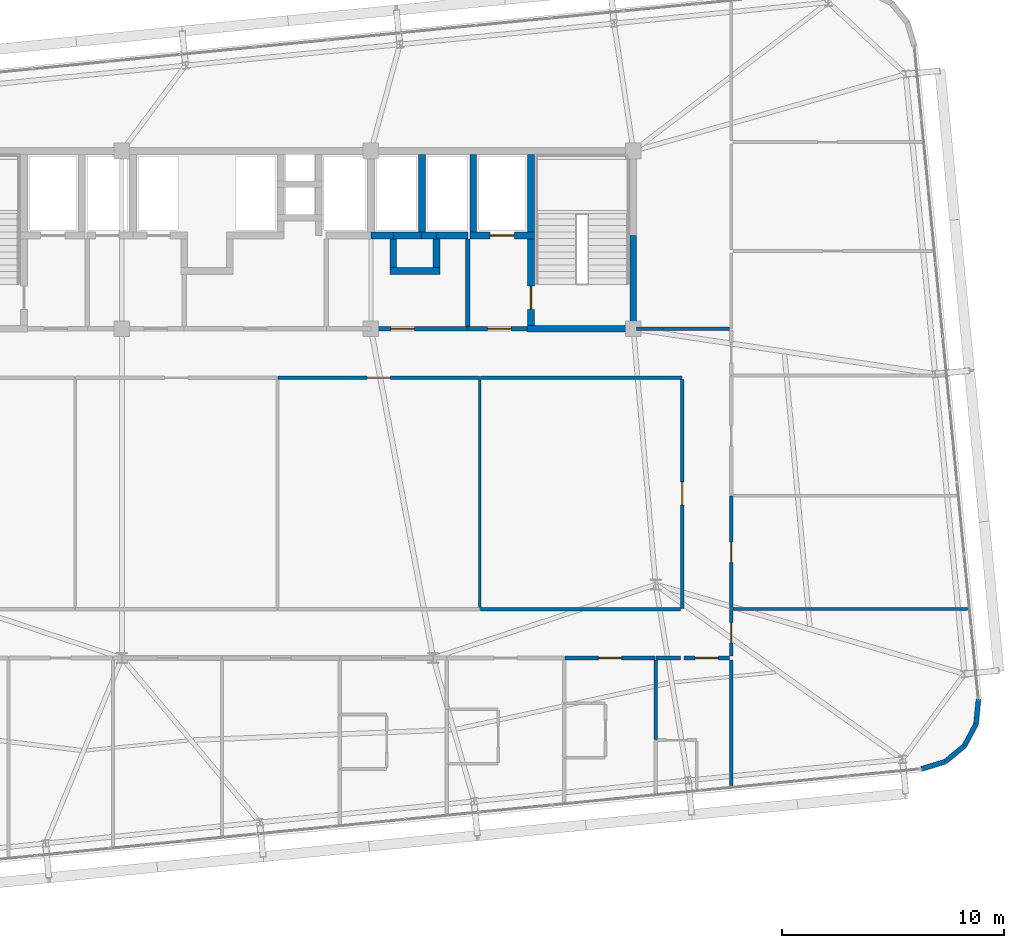
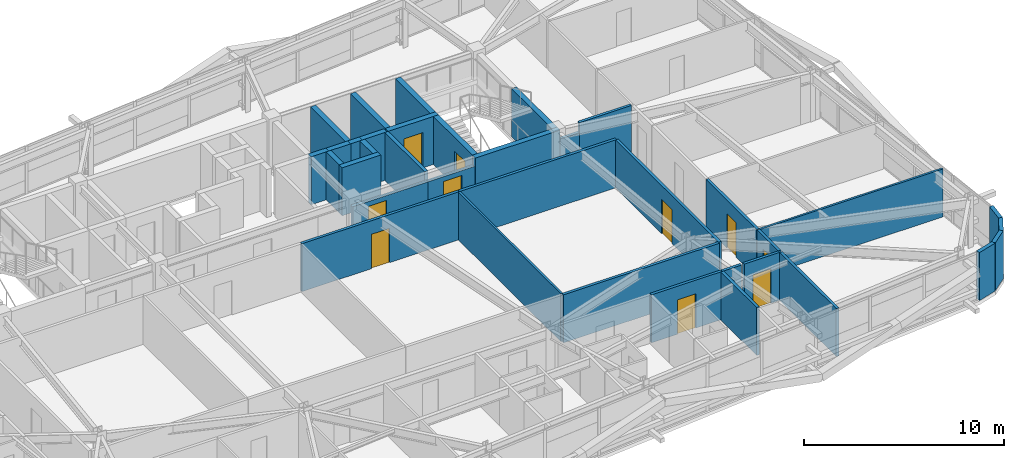
# One storey, part 49 of 53: 36 walls, 10 doors, 10 openings.
"""IFC4 building model written with IfcOpenShell, lengths in metres."""

import ifcopenshell
import ifcopenshell.guid

model = None  # the IFC model being written
_history = None  # IfcOwnerHistory: only IFC2X3 demands one
_inside = {}  # id of a spatial element -> (the spatial element, [elements in it])
_under = {}  # id of a project, library or spatial element -> (it, [spatial elements below it])
_declared = {}  # id of a project -> (the project, [libraries it declares])
_typed = {}  # id of a type object -> (the type object, [elements of that type])
_made_of = {}  # id of a material, layer set ... -> (it, [elements and type objects made of it])


def new_model(schema):
    """Start an empty IFC model of exactly this schema.

    Asked for "IFC4X3", IfcOpenShell would pick the latest addendum, in which some entities
    have other attributes; the version numbers below select the first issue.
    IFC2X3 requires an IfcOwnerHistory on every rooted entity: one is made here for all.
    """
    global model, _history
    if schema == "IFC4X3":
        model = ifcopenshell.file(schema_version=(4, 3, 0, 0))
    else:
        model = ifcopenshell.file(schema=schema)
    _inside.clear()
    _under.clear()
    _declared.clear()
    _typed.clear()
    _made_of.clear()
    _history = None
    if model.schema == "IFC2X3":
        org = make("IfcOrganization", Name="unknown")
        user = make(
            "IfcPersonAndOrganization",
            ThePerson=make("IfcPerson", FamilyName="unknown"),
            TheOrganization=org,
        )
        app = make(
            "IfcApplication",
            ApplicationDeveloper=org,
            Version="unknown",
            ApplicationFullName="unknown",
            ApplicationIdentifier="unknown",
        )
        _history = make(
            "IfcOwnerHistory",
            OwningUser=user,
            OwningApplication=app,
            ChangeAction="ADDED",
            CreationDate=0,
        )
    return model


def make(cls, **values):
    """One entity of the class cls with the attributes given. An attribute that is None is left unset."""
    return model.create_entity(
        cls, **{name: value for name, value in values.items() if value is not None}
    )


def rooted(cls, **values):
    """An entity with a GlobalId (a new one), such as an element, a storey or a relation."""
    return make(cls, GlobalId=ifcopenshell.guid.new(), OwnerHistory=_history, **values)


def si_unit(unit_type, name, prefix=None):
    """IfcSIUnit, for example si_unit("LENGTHUNIT", "METRE", prefix="MILLI")."""
    return make("IfcSIUnit", UnitType=unit_type, Prefix=prefix, Name=name)


def assignment(units):
    """IfcUnitAssignment: the units of a project."""
    return None if units is None else make("IfcUnitAssignment", Units=units)


def point(xyz):
    """IfcCartesianPoint."""
    return None if xyz is None else make("IfcCartesianPoint", Coordinates=xyz)


def direction(xyz):
    """IfcDirection."""
    return None if xyz is None else make("IfcDirection", DirectionRatios=xyz)


def frame(location, z_axis=None, x_axis=None):
    """IfcAxis2Placement3D, a coordinate frame: its origin and axes. An axis left out is left unset."""
    return make(
        "IfcAxis2Placement3D",
        Location=point(location),
        Axis=direction(z_axis),
        RefDirection=direction(x_axis),
    )


def frame_2d(location, x_axis=None):
    """IfcAxis2Placement2D, a coordinate frame in the plane: its origin and x axis."""
    return make(
        "IfcAxis2Placement2D", Location=point(location), RefDirection=direction(x_axis)
    )


def origin():
    """The frame at (0, 0, 0) with its axes left unset."""
    return frame((0.0, 0.0, 0.0))


def place(relative_to, where):
    """IfcLocalPlacement: puts the frame where relative to a parent placement (None: the world)."""
    return make(
        "IfcLocalPlacement", PlacementRelTo=relative_to, RelativePlacement=where
    )


def context(
    kind, dimensions, precision=None, world=None, true_north=None, identifier=None
):
    """IfcGeometricRepresentationContext, for example the 3D "Model" context."""
    return make(
        "IfcGeometricRepresentationContext",
        ContextIdentifier=identifier,
        ContextType=kind,
        CoordinateSpaceDimension=dimensions,
        Precision=precision,
        WorldCoordinateSystem=world,
        TrueNorth=true_north,
    )


def subcontext(parent, identifier, kind, view, scale=None):
    """IfcGeometricRepresentationSubContext, for example "Body" below "Model"."""
    return make(
        "IfcGeometricRepresentationSubContext",
        ContextIdentifier=identifier,
        ContextType=kind,
        ParentContext=parent,
        TargetScale=scale,
        TargetView=view,
    )


def project(units=None, contexts=None):
    """IfcProject with its units and contexts."""
    return rooted(
        "IfcProject",
        Name="project",
        RepresentationContexts=contexts,
        UnitsInContext=assignment(units),
    )


def spatial(cls, under=None, at=None, **own):
    """A site, building, storey or space (cls), placed at a placement, below another one or the project."""
    s = rooted(cls, ObjectPlacement=at, **own)
    if under is not None:
        _under.setdefault(under.id(), (under, []))[1].append(s)
    return s


def profile(cls, at=None, kind="AREA", **sizes):
    """A parametric profile (cls). Its sizes go by their IFC names, for example OverallWidth=200.0."""
    return make(cls, ProfileType=kind, Position=at, **sizes)


def rectangle(**sizes):
    """IfcRectangleProfileDef."""
    return profile("IfcRectangleProfileDef", **sizes)


def extrude(swept, where, along, depth):
    """IfcExtrudedAreaSolid: the profile swept, set in the frame where, extruded along a direction by depth."""
    return make(
        "IfcExtrudedAreaSolid",
        SweptArea=swept,
        Position=where,
        ExtrudedDirection=direction(along),
        Depth=depth,
    )


def shape(context_of_items, identifier, shape_type, items):
    """IfcShapeRepresentation: the items that make up one representation, for example the "Body"."""
    return make(
        "IfcShapeRepresentation",
        ContextOfItems=context_of_items,
        RepresentationIdentifier=identifier,
        RepresentationType=shape_type,
        Items=items,
    )


def source(mapping_origin, context_of_items, identifier, shape_type, items):
    """IfcRepresentationMap: a shape defined once, which mapped items show again and again."""
    return make(
        "IfcRepresentationMap",
        MappingOrigin=mapping_origin,
        MappedRepresentation=shape(context_of_items, identifier, shape_type, items),
    )


def transform(
    local_origin,
    x_axis=None,
    y_axis=None,
    z_axis=None,
    scale=None,
    scale2=None,
    scale3=None,
    uniform=True,
):
    """IfcCartesianTransformationOperator3D, or its non-uniform kind. x_axis, y_axis, z_axis: its Axis1, 2, 3."""
    if uniform:
        return make(
            "IfcCartesianTransformationOperator3D",
            Axis1=direction(x_axis),
            Axis2=direction(y_axis),
            LocalOrigin=point(local_origin),
            Scale=scale,
            Axis3=direction(z_axis),
        )
    return make(
        "IfcCartesianTransformationOperator3DnonUniform",
        Axis1=direction(x_axis),
        Axis2=direction(y_axis),
        LocalOrigin=point(local_origin),
        Scale=scale,
        Axis3=direction(z_axis),
        Scale2=scale2,
        Scale3=scale3,
    )


def mapped(mapping_source, mapping_target):
    """IfcMappedItem: shows the shape of a source again, moved by a transform."""
    return make(
        "IfcMappedItem", MappingSource=mapping_source, MappingTarget=mapping_target
    )


def material(Name=None, Category=None):
    """IfcMaterial."""
    return make("IfcMaterial", Name=Name, Category=Category)


def layer(
    of_material, thickness, ventilated=None, Name=None, Category=None, Priority=None
):
    """IfcMaterialLayer: one layer of a wall or slab, of a material (None: an air gap)."""
    return make(
        "IfcMaterialLayer",
        Material=of_material,
        LayerThickness=thickness,
        IsVentilated=ventilated,
        Name=Name,
        Category=Category,
        Priority=Priority,
    )


def layer_set(layers, Name=None):
    """IfcMaterialLayerSet."""
    return make("IfcMaterialLayerSet", MaterialLayers=layers, LayerSetName=Name)


def made_of(thing, what):
    """Note that an element or type object is made of a material, layer set ...; save() writes the relation."""
    if what is not None:
        _made_of.setdefault(what.id(), (what, []))[1].append(thing)
    return thing


def type_object(cls, material=None, **own):
    """A type object (cls), such as IfcWallType, which elements share."""
    return made_of(rooted(cls, **own), material)


def element(
    cls,
    number,
    at=None,
    inside=None,
    cuts=None,
    type_object=None,
    material=None,
    context=None,
    identifier="Body",
    shape_type=None,
    held_by="IfcProductDefinitionShape",
    body=None,
    shapes=None,
    **own,
):
    """One element of the class cls, such as IfcWall. Its Tag is "e" and its number.

    at: its placement. inside: the storey or other place that contains it. cuts: it is an
    opening in that element (IfcRelVoidsElement). A single representation is given by context,
    identifier, shape_type and body (its items); several are given by shapes. held_by: the class
    of the entity that holds the representations. save() writes the other relations.
    """
    e = rooted(cls, Tag="e%d" % number, ObjectPlacement=at, **own)
    if body is not None:
        shapes = [shape(context, identifier, shape_type, body)]
    if shapes is not None:
        e.Representation = make(held_by, Representations=shapes)
    if inside is not None:
        _inside.setdefault(inside.id(), (inside, []))[1].append(e)
    if cuts is not None:
        rooted(
            "IfcRelVoidsElement", RelatingBuildingElement=cuts, RelatedOpeningElement=e
        )
    if type_object is not None:
        _typed.setdefault(type_object.id(), (type_object, []))[1].append(e)
    return made_of(e, material)


def fill(opening, filler):
    """IfcRelFillsElement: the door or window that sits in an opening."""
    return rooted(
        "IfcRelFillsElement",
        RelatingOpeningElement=opening,
        RelatedBuildingElement=filler,
    )


def aggregate(whole, parts):
    """IfcRelAggregates: a whole, such as a stair, and the parts it consists of."""
    return rooted("IfcRelAggregates", RelatingObject=whole, RelatedObjects=parts)


def save(model, path):
    """Write the relations noted so far, then the file.

    IfcRelAggregates (storeys below a building ...), IfcRelContainedInSpatialStructure (elements
    in a storey), IfcRelDefinesByType, IfcRelAssociatesMaterial and IfcRelDeclares: one each for
    every whole, place, type object, material and project.
    """
    for whole, parts in _under.values():
        aggregate(whole, parts)
    for where, things in _inside.values():
        rooted(
            "IfcRelContainedInSpatialStructure",
            RelatedElements=things,
            RelatingStructure=where,
        )
    for kind, things in _typed.values():
        rooted("IfcRelDefinesByType", RelatedObjects=things, RelatingType=kind)
    for what, things in _made_of.values():
        rooted("IfcRelAssociatesMaterial", RelatedObjects=things, RelatingMaterial=what)
    for by, libraries in _declared.values():
        rooted("IfcRelDeclares", RelatingContext=by, RelatedDefinitions=libraries)
    model.write(path)


model = new_model("IFC4")

# Units and contexts
model_context = context("Model", 3, precision=1e-05, world=origin(), true_north=direction((0.0, 1.0)))
body_context = subcontext(model_context, "Body", "Model", "MODEL_VIEW")
ifc_project = project(units=[si_unit("LENGTHUNIT", "METRE"), si_unit("AREAUNIT", "SQUARE_METRE"), si_unit("VOLUMEUNIT", "CUBIC_METRE"), si_unit("PLANEANGLEUNIT", "RADIAN"), si_unit("MASSUNIT", "GRAM", prefix="KILO")], contexts=[model_context])

# Site, building, storey
site_placement = place(None, origin())
site = spatial("IfcSite", under=ifc_project, at=site_placement, CompositionType="ELEMENT")
building_placement = place(site_placement, origin())
building = spatial("IfcBuilding", under=site, at=building_placement, Name="Taldren Reach Tower", CompositionType="ELEMENT")
storey_placement = place(building_placement, frame((0.0, 0.0, 68.25)))
storey = spatial("IfcBuildingStorey", under=building, at=storey_placement, Name="L20", CompositionType="ELEMENT", Elevation=68.25)

# Walls
ifc_material_1 = material(Name="Pale Champagne Anodised Aluminium Cladding", Category="aluminium")
ifc_layer_1 = layer(ifc_material_1, 0.04, Name="Pale Champagne Anodised Aluminium Cladding", Category="aluminium")
ifc_material_2 = material(Name="Mineral Wool Acoustic Insulation", Category="insulation")
ifc_layer_2 = layer(ifc_material_2, 0.06, Name="Mineral Wool Acoustic Insulation", Category="insulation")
ifc_material_3 = material(Name="Steel Gr 350 (C350L0)", Category="steel")
ifc_layer_3 = layer(ifc_material_3, 0.12, Name="Steel Gr 350 (C350L0)", Category="steel")
ifc_layer_set_1 = layer_set([ifc_layer_1, ifc_layer_2, ifc_layer_3], Name="Pale Champagne Aluminium Cladding and Steel Gr 350 Stud Framing")
wall_type_1 = type_object("IfcWallType", Name="EW-CRN-220", PredefinedType="SOLIDWALL", material=ifc_layer_set_1)
shared_shape_1 = source(origin(), body_context, "Body", "SweptSolid", [
    extrude(rectangle(XDim=1.115966796875, YDim=0.219970703125, at=frame_2d((0.55810546875, 0.0))), origin(), (0.0, 0.0, 1.0), 2.929931640625),
])
for number, where, z_axis, x_axis, name in (
    (1, (65.01708984375, 4.537109375, 0.0), (0.0, 0.0, 1.0), (0.773342870285, 0.633988016432, 0.0), "Rounded-corner pale-metal facade wall L20-SE2"),
    (2, (66.406494140625, 6.228515625, 0.0), (0.0, 0.0, 1.0), (0.09844234778, 0.995142755671, 0.0), "Rounded-corner pale-metal facade wall L20-SE4"),
):
    element("IfcWall", number, at=place(storey_placement, frame(where, z_axis=z_axis, x_axis=x_axis)), inside=storey, type_object=wall_type_1, Name=name, PredefinedType="SOLIDWALL", context=body_context, shape_type="MappedRepresentation", body=[
        mapped(shared_shape_1, transform((0.0, 0.0, 0.0), scale=1.0)),
    ])
shared_shape_2 = source(origin(), body_context, "Body", "SweptSolid", [
    extrude(rectangle(XDim=1.11572265625, YDim=0.219970703125, at=frame_2d((0.557861328125, 0.0))), origin(), (0.0, 0.0, 1.0), 2.929931640625),
])
for number, where, z_axis, x_axis, name in (
    (3, (63.94921875, 4.213623046875, 0.0), (0.0, 0.0, 1.0), (0.957052003726, 0.289916301997, 0.0), "Rounded-corner pale-metal facade wall L20-SE1"),
    (4, (65.880126953125, 5.24462890625, 0.0), (0.0, 0.0, 1.0), (0.471723463201, 0.881746547635, 0.0), "Rounded-corner pale-metal facade wall L20-SE3"),
):
    element("IfcWall", number, at=place(storey_placement, frame(where, z_axis=z_axis, x_axis=x_axis)), inside=storey, type_object=wall_type_1, Name=name, PredefinedType="SOLIDWALL", context=body_context, shape_type="MappedRepresentation", body=[
        mapped(shared_shape_2, transform((0.0, 0.0, 0.0), scale=1.0)),
    ])

# Wall, opening, door
ifc_material_4 = material(Name="Concrete S50 (50 MPa)", Category="concrete")
ifc_layer_4 = layer(ifc_material_4, 0.199951171875)
ifc_layer_set_2 = layer_set([ifc_layer_4], Name="Concrete S50 (50 MPa)")
wall_type_2 = type_object("IfcWallType", Name="IW-CORE-200", PredefinedType="SOLIDWALL", material=ifc_layer_set_2)
shared_shape_3 = source(origin(), body_context, "Body", "SweptSolid", [
    extrude(rectangle(XDim=4.35009765625, YDim=0.199951171875, at=frame_2d((2.175048828125, 0.0))), origin(), (0.0, 0.0, 1.0), 2.39697265625),
])
wall_1_placement = place(storey_placement, frame((43.550048828125, 24.0, 0.0), z_axis=(0.0, 0.0, 1.0), x_axis=(-1.0, 0.0, 0.0)))
wall_1 = element("IfcWall", 5, at=wall_1_placement, inside=storey, type_object=wall_type_2, Name="Rear Core Shear Wall W-INT-L20-044", PredefinedType="SOLIDWALL", context=body_context, shape_type="MappedRepresentation", body=[
    mapped(shared_shape_3, transform((0.0, 0.0, 0.0), scale=1.0)),
])
shared_shape_4 = source(origin(), body_context, "Body", "SweptSolid", [
    extrude(rectangle(XDim=1.050048828125, YDim=2.10009765625, at=frame_2d((0.52490234375, 1.050048828125))), frame((0.0, 0.10986328125, 0.0), z_axis=(0.0, -1.0, 0.0), x_axis=(1.0, 0.0, 0.0)), (0.0, 0.0, 1.0), 0.219970703125),
])
opening_1_placement = place(wall_1_placement, frame((2.39990234375, 0.0, 0.0)))
opening_1 = element("IfcOpeningElement", 6, at=opening_1_placement, cuts=wall_1, Name="Opening DF-105", PredefinedType="OPENING", context=body_context, shape_type="MappedRepresentation", body=[
    mapped(shared_shape_4, transform((0.0, 0.0, 0.0), scale=1.0)),
])
ifc_material_5 = material(Name="Fire-Rated Care and Stair Exit Door")
door_type_1 = type_object("IfcDoorType", Name="ID-FIRE-105", OperationType="NOTDEFINED", PredefinedType="DOOR", material=ifc_material_5)
shared_shape_5 = source(origin(), body_context, "Body", "SweptSolid", [
    extrude(rectangle(XDim=1.050048828125, YDim=2.10009765625, at=frame_2d((0.52490234375, 1.050048828125))), frame((0.0, 0.02490234375, 0.0), z_axis=(0.0, -1.0, 0.0), x_axis=(1.0, 0.0, 0.0)), (0.0, 0.0, 1.0), 0.050048828125),
])
door_1_placement = place(opening_1_placement, frame((1.050048828125, 0.0, 0.0), z_axis=(0.0, 0.0, 1.0), x_axis=(-1.0, 0.0, 0.0)))
door_1 = element("IfcDoor", 7, at=door_1_placement, inside=storey, type_object=door_type_1, Name="Interior Door DR-L20-007", OperationType="SINGLE_SWING_RIGHT", OverallHeight=2.10009765625, OverallWidth=1.050048828125, PredefinedType="DOOR", context=body_context, shape_type="MappedRepresentation", body=[
    mapped(shared_shape_5, transform((0.0, 0.0, 0.0), scale=1.0)),
])
fill(opening_1, door_1)

ifc_material_6 = material(Name="Fire-Rated Acoustic Plasterboard Stud Wall", Category="gypsum")
ifc_layer_5 = layer(ifc_material_6, 0.159912109375)
ifc_layer_set_3 = layer_set([ifc_layer_5], Name="Fire-Rated Acoustic Plasterboard Stud Wall")
wall_type_3 = type_object("IfcWallType", Name="IW-FIRE-160", PredefinedType="PARTITIONING", material=ifc_layer_set_3)
shared_shape_6 = source(origin(), body_context, "Body", "SweptSolid", [
    extrude(rectangle(XDim=10.2998046875, YDim=0.159912109375, at=frame_2d((5.14990234375, 0.0))), origin(), (0.0, 0.0, 1.0), 2.929931640625),
])
wall_2_placement = place(storey_placement, frame((53.199951171875, 11.420166015625, 0.0), z_axis=(0.0, 0.0, 1.0), x_axis=(0.0, 1.0, 0.0)))
wall_2 = element("IfcWall", 8, at=wall_2_placement, inside=storey, type_object=wall_type_3, Name="Interior Partition Wall W-INT-L20-049", PredefinedType="PARTITIONING", context=body_context, shape_type="MappedRepresentation", body=[
    mapped(shared_shape_6, transform((0.0, 0.0, 0.0), scale=1.0)),
])
shared_shape_7 = source(origin(), body_context, "Body", "SweptSolid", [
    extrude(rectangle(XDim=1.050048828125, YDim=2.10009765625, at=frame_2d((0.52490234375, 1.050048828125))), frame((0.0, 0.08984375, 0.0), z_axis=(0.0, -1.0, 0.0), x_axis=(1.0, 0.0, 0.0)), (0.0, 0.0, 1.0), 0.179931640625),
])
opening_2_placement = place(wall_2_placement, frame((4.65478515625, 0.0, 0.0)))
opening_2 = element("IfcOpeningElement", 9, at=opening_2_placement, cuts=wall_2, Name="Opening DF-105", PredefinedType="OPENING", context=body_context, shape_type="MappedRepresentation", body=[
    mapped(shared_shape_7, transform((0.0, 0.0, 0.0), scale=1.0)),
])
door_2_placement = place(opening_2_placement, origin())
door_2 = element("IfcDoor", 10, at=door_2_placement, inside=storey, type_object=door_type_1, Name="Interior Door DR-L20-011", OperationType="SINGLE_SWING_RIGHT", OverallHeight=2.10009765625, OverallWidth=1.050048828125, PredefinedType="DOOR", context=body_context, shape_type="MappedRepresentation", body=[
    mapped(shared_shape_5, transform((0.0, 0.0, 0.0), scale=1.0)),
])
fill(opening_2, door_2)

shared_shape_8 = source(origin(), body_context, "Body", "SweptSolid", [
    extrude(rectangle(XDim=2.0400390625, YDim=0.159912109375, at=frame_2d((1.02001953125, 0.0))), origin(), (0.0, 0.0, 1.0), 2.929931640625),
])
wall_3_placement = place(storey_placement, frame((55.320068359375, 9.199951171875, 0.0), z_axis=(0.0, 0.0, 1.0), x_axis=(-1.0, 0.0, 0.0)))
wall_3 = element("IfcWall", 11, at=wall_3_placement, inside=storey, type_object=wall_type_3, Name="Interior Partition Wall W-INT-L20-052", PredefinedType="PARTITIONING", context=body_context, shape_type="MappedRepresentation", body=[
    mapped(shared_shape_8, transform((0.0, 0.0, 0.0), scale=1.0)),
])
opening_3_placement = place(wall_3_placement, frame((0.4951171875, 0.0, 0.0)))
opening_3 = element("IfcOpeningElement", 12, at=opening_3_placement, cuts=wall_3, Name="Opening DF-105", PredefinedType="OPENING", context=body_context, shape_type="MappedRepresentation", body=[
    mapped(shared_shape_7, transform((0.0, 0.0, 0.0), scale=1.0)),
])
door_3_placement = place(opening_3_placement, origin())
door_3 = element("IfcDoor", 13, at=door_3_placement, inside=storey, type_object=door_type_1, Name="Interior Door DR-L20-013", OperationType="SINGLE_SWING_RIGHT", OverallHeight=2.10009765625, OverallWidth=1.050048828125, PredefinedType="DOOR", context=body_context, shape_type="MappedRepresentation", body=[
    mapped(shared_shape_5, transform((0.0, 0.0, 0.0), scale=1.0)),
])
fill(opening_3, door_3)

shared_shape_9 = source(origin(), body_context, "Body", "SweptSolid", [
    extrude(rectangle(XDim=2.099853515625, YDim=0.159912109375, at=frame_2d((1.0498046875, 0.0))), origin(), (0.0, 0.0, 1.0), 2.929931640625),
])
wall_4_placement = place(storey_placement, frame((55.39990234375, 11.3798828125, 0.0), z_axis=(0.0, 0.0, 1.0), x_axis=(0.0, -1.0, 0.0)))
wall_4 = element("IfcWall", 14, at=wall_4_placement, inside=storey, type_object=wall_type_3, Name="Interior Partition Wall W-INT-L20-059", PredefinedType="PARTITIONING", context=body_context, shape_type="MappedRepresentation", body=[
    mapped(shared_shape_9, transform((0.0, 0.0, 0.0), scale=1.0)),
])
shared_shape_10 = source(origin(), body_context, "Body", "SweptSolid", [
    extrude(rectangle(XDim=0.919921875, YDim=2.10009765625, at=frame_2d((0.4599609375, 1.050048828125))), frame((0.0, 0.08984375, 0.0), z_axis=(0.0, -1.0, 0.0), x_axis=(1.0, 0.0, 0.0)), (0.0, 0.0, 1.0), 0.179931640625),
])
opening_4_placement = place(wall_4_placement, frame((0.58984375, 0.0, 0.0)))
opening_4 = element("IfcOpeningElement", 15, at=opening_4_placement, cuts=wall_4, Name="Opening DI-092", PredefinedType="OPENING", context=body_context, shape_type="MappedRepresentation", body=[
    mapped(shared_shape_10, transform((0.0, 0.0, 0.0), scale=1.0)),
])
ifc_material_7 = material(Name="Solid-Core Timber Suite Door", Category="wood")
door_type_2 = type_object("IfcDoorType", Name="ID-INT-092", OperationType="NOTDEFINED", PredefinedType="DOOR", material=ifc_material_7)
shared_shape_11 = source(origin(), body_context, "Body", "SweptSolid", [
    extrude(rectangle(XDim=0.919921875, YDim=2.10009765625, at=frame_2d((0.4599609375, 1.050048828125))), frame((0.0, 0.02490234375, 0.0), z_axis=(0.0, -1.0, 0.0), x_axis=(1.0, 0.0, 0.0)), (0.0, 0.0, 1.0), 0.050048828125),
])
door_4_placement = place(opening_4_placement, origin())
door_4 = element("IfcDoor", 16, at=door_4_placement, inside=storey, type_object=door_type_2, Name="Interior Door DR-L20-018", OperationType="SINGLE_SWING_LEFT", OverallHeight=2.10009765625, OverallWidth=0.919921875, PredefinedType="DOOR", context=body_context, shape_type="MappedRepresentation", body=[
    mapped(shared_shape_11, transform((0.0, 0.0, 0.0), scale=1.0)),
])
fill(opening_4, door_4)

# Walls
shared_shape_12 = source(origin(), body_context, "Body", "SweptSolid", [
    extrude(rectangle(XDim=1.099853515625, YDim=0.159912109375, at=frame_2d((0.5498046875, 0.0))), origin(), (0.0, 0.0, 1.0), 2.929931640625),
])
wall_5_placement = place(storey_placement, frame((53.1201171875, 9.199951171875, 0.0), z_axis=(0.0, 0.0, 1.0), x_axis=(-1.0, 0.0, 0.0)))
element("IfcWall", 17, at=wall_5_placement, inside=storey, type_object=wall_type_3, Name="Interior Partition Wall W-INT-L20-077", PredefinedType="PARTITIONING", context=body_context, shape_type="MappedRepresentation", body=[
    mapped(shared_shape_12, transform((0.0, 0.0, 0.0), scale=1.0)),
])
ifc_material_8 = material(Name="Insulated Residential Stud Partition", Category="gypsum")
ifc_layer_6 = layer(ifc_material_8, 0.1201171875)
ifc_layer_set_4 = layer_set([ifc_layer_6], Name="Insulated Residential Stud Partition")
wall_type_4 = type_object("IfcWallType", Name="IW-PART-120", PredefinedType="PARTITIONING", material=ifc_layer_set_4)
shared_shape_13 = source(origin(), body_context, "Body", "SweptSolid", [
    extrude(rectangle(XDim=10.239990234375, YDim=0.1201171875, at=frame_2d((5.1201171875, 0.0))), origin(), (0.0, 0.0, 1.0), 2.929931640625),
])
wall_6_placement = place(storey_placement, frame((44.10009765625, 21.719970703125, 0.0), z_axis=(0.0, 0.0, 1.0), x_axis=(0.0, -1.0, 0.0)))
element("IfcWall", 18, at=wall_6_placement, inside=storey, type_object=wall_type_4, Name="Interior Partition Wall W-INT-L20-080", PredefinedType="PARTITIONING", context=body_context, shape_type="MappedRepresentation", body=[
    mapped(shared_shape_13, transform((0.0, 0.0, 0.0), scale=1.0)),
])
ifc_material_9 = material(Name="Concrete S65 (65 MPa)", Category="concrete")
ifc_layer_7 = layer(ifc_material_9, 0.300048828125)
ifc_layer_set_5 = layer_set([ifc_layer_7], Name="Concrete S65 (65 MPa)")
wall_type_5 = type_object("IfcWallType", Name="IW-CORE-300", PredefinedType="SHEAR", material=ifc_layer_set_5)
shared_shape_14 = source(origin(), body_context, "Body", "SweptSolid", [
    extrude(rectangle(XDim=4.050048828125, YDim=0.300048828125, at=frame_2d((2.02490234375, 0.0))), origin(), (0.0, 0.0, 1.0), 2.929931640625),
])
wall_7_placement = place(storey_placement, frame((51.0, 24.14990234375, 0.0), z_axis=(0.0, 0.0, 1.0), x_axis=(0.0, 1.0, 0.0)))
element("IfcWall", 19, at=wall_7_placement, inside=storey, type_object=wall_type_5, Name="Rear Core Shear Wall W-CORE-L20-EAST1", PredefinedType="SHEAR", context=body_context, shape_type="MappedRepresentation", body=[
    mapped(shared_shape_14, transform((0.0, 0.0, 0.0), scale=1.0)),
])
shared_shape_15 = source(origin(), body_context, "Body", "SweptSolid", [
    extrude(rectangle(XDim=3.5, YDim=0.300048828125, at=frame_2d((1.75, 0.0))), origin(), (0.0, 0.0, 1.0), 2.929931640625),
])
for number, where, z_axis, x_axis, name in (
    (20, (46.39990234375, 31.85009765625, 0.0), (0.0, 0.0, 1.0), (0.0, -1.0, 0.0), "Rear Core Shear Wall W-INT-L20-008"),
    (21, (43.800048828125, 31.85009765625, 0.0), (0.0, 0.0, 1.0), (0.0, -1.0, 0.0), "Rear Core Shear Wall W-INT-L20-012"),
    (22, (41.5, 28.35009765625, 0.0), (0.0, 0.0, 1.0), (0.0, 1.0, 0.0), "Rear Core Shear Wall W-INT-L20-039"),
):
    element("IfcWall", number, at=place(storey_placement, frame(where, z_axis=z_axis, x_axis=x_axis)), inside=storey, type_object=wall_type_5, Name=name, PredefinedType="SHEAR", context=body_context, shape_type="MappedRepresentation", body=[
        mapped(shared_shape_15, transform((0.0, 0.0, 0.0), scale=1.0)),
    ])

# Wall, opening, door
shared_shape_16 = source(origin(), body_context, "Body", "SweptSolid", [
    extrude(rectangle(XDim=3.900146484375, YDim=0.300048828125, at=frame_2d((1.9501953125, 0.0))), origin(), (0.0, 0.0, 1.0), 2.929931640625),
])
wall_8_placement = place(storey_placement, frame((46.39990234375, 28.050048828125, 0.0), z_axis=(0.0, 0.0, 1.0), x_axis=(0.0, -1.0, 0.0)))
wall_8 = element("IfcWall", 23, at=wall_8_placement, inside=storey, type_object=wall_type_5, Name="Rear Core Shear Wall W-INT-L20-009", PredefinedType="SHEAR", context=body_context, shape_type="MappedRepresentation", body=[
    mapped(shared_shape_16, transform((0.0, 0.0, 0.0), scale=1.0)),
])
shared_shape_17 = source(origin(), body_context, "Body", "SweptSolid", [
    extrude(rectangle(XDim=1.050048828125, YDim=2.10009765625, at=frame_2d((0.52490234375, 1.050048828125))), frame((0.0, 0.16015625, 0.0), z_axis=(0.0, -1.0, 0.0), x_axis=(1.0, 0.0, 0.0)), (0.0, 0.0, 1.0), 0.320068359375),
])
opening_5_placement = place(wall_8_placement, frame((2.125, 0.0, 0.0)))
opening_5 = element("IfcOpeningElement", 24, at=opening_5_placement, cuts=wall_8, Name="Opening DF-105", PredefinedType="OPENING", context=body_context, shape_type="MappedRepresentation", body=[
    mapped(shared_shape_17, transform((0.0, 0.0, 0.0), scale=1.0)),
])
door_5_placement = place(opening_5_placement, origin())
door_5 = element("IfcDoor", 25, at=door_5_placement, inside=storey, type_object=door_type_1, Name="Fire Exit Stair Door DR-L20-003", OperationType="SINGLE_SWING_RIGHT", OverallHeight=2.10009765625, OverallWidth=1.050048828125, PredefinedType="DOOR", context=body_context, shape_type="MappedRepresentation", body=[
    mapped(shared_shape_5, transform((0.0, 0.0, 0.0), scale=1.0)),
])
fill(opening_5, door_5)

# Wall
shared_shape_18 = source(origin(), body_context, "Body", "SweptSolid", [
    extrude(rectangle(XDim=4.89990234375, YDim=0.300048828125, at=frame_2d((2.449951171875, 0.0))), origin(), (0.0, 0.0, 1.0), 2.929931640625),
])
wall_9_placement = place(storey_placement, frame((46.25, 24.0, 0.0), z_axis=(0.0, 0.0, 1.0), x_axis=(1.0, 0.0, 0.0)))
element("IfcWall", 26, at=wall_9_placement, inside=storey, type_object=wall_type_5, Name="Rear Core Shear Wall W-INT-L20-010", PredefinedType="SHEAR", context=body_context, shape_type="MappedRepresentation", body=[
    mapped(shared_shape_18, transform((0.0, 0.0, 0.0), scale=1.0)),
])

# Wall, opening, door
shared_shape_19 = source(origin(), body_context, "Body", "SweptSolid", [
    extrude(rectangle(XDim=2.900146484375, YDim=0.300048828125, at=frame_2d((1.4501953125, 0.0))), origin(), (0.0, 0.0, 1.0), 2.929931640625),
])
wall_10_placement = place(storey_placement, frame((43.64990234375, 28.199951171875, 0.0), z_axis=(0.0, 0.0, 1.0), x_axis=(1.0, 0.0, 0.0)))
wall_10 = element("IfcWall", 27, at=wall_10_placement, inside=storey, type_object=wall_type_5, Name="Rear Core Shear Wall W-INT-L20-011", PredefinedType="SHEAR", context=body_context, shape_type="MappedRepresentation", body=[
    mapped(shared_shape_19, transform((0.0, 0.0, 0.0), scale=1.0)),
])
shared_shape_20 = source(origin(), body_context, "Body", "SweptSolid", [
    extrude(rectangle(XDim=1.10009765625, YDim=2.14990234375, at=frame_2d((0.550048828125, 1.074951171875))), frame((0.0, 0.16015625, 0.0), z_axis=(0.0, -1.0, 0.0), x_axis=(1.0, 0.0, 0.0)), (0.0, 0.0, 1.0), 0.320068359375),
])
opening_6_placement = place(wall_10_placement, frame((0.89990234375, 0.0, 0.0)))
opening_6 = element("IfcOpeningElement", 28, at=opening_6_placement, cuts=wall_10, Name="Opening LD-FL2", PredefinedType="OPENING", context=body_context, shape_type="MappedRepresentation", body=[
    mapped(shared_shape_20, transform((0.0, 0.0, 0.0), scale=1.0)),
])
ifc_material_10 = material(Name="Stainless Steel Gr 316 Emergency Lift Landing Door", Category="steel")
door_type_3 = type_object("IfcDoorType", Name="LD-EMG-110", OperationType="SLIDING_TO_LEFT", PredefinedType="DOOR", material=ifc_material_10)
shared_shape_21 = source(origin(), body_context, "Body", "SweptSolid", [
    extrude(rectangle(XDim=1.10009765625, YDim=2.14990234375, at=frame_2d((0.550048828125, 1.074951171875))), frame((0.0, 0.02490234375, 0.0), z_axis=(0.0, -1.0, 0.0), x_axis=(1.0, 0.0, 0.0)), (0.0, 0.0, 1.0), 0.050048828125),
])
door_6_placement = place(opening_6_placement, origin())
door_6 = element("IfcDoor", 29, at=door_6_placement, inside=storey, type_object=door_type_3, Name="Lift Landing Door LD-FL2-L20", OperationType="SLIDING_TO_LEFT", OverallHeight=2.14990234375, OverallWidth=1.10009765625, PredefinedType="DOOR", context=body_context, shape_type="MappedRepresentation", body=[
    mapped(shared_shape_21, transform((0.0, 0.0, 0.0), scale=1.0)),
])
fill(opening_6, door_6)

# Wall
shared_shape_22 = source(origin(), body_context, "Body", "SweptSolid", [
    extrude(rectangle(XDim=3.949951171875, YDim=0.199951171875, at=frame_2d((1.97509765625, 0.0))), origin(), (0.0, 0.0, 1.0), 2.929931640625),
])
wall_11_placement = place(storey_placement, frame((43.550048828125, 28.050048828125, 0.0), z_axis=(0.0, 0.0, 1.0), x_axis=(0.0, -1.0, 0.0)))
element("IfcWall", 30, at=wall_11_placement, inside=storey, type_object=wall_type_2, Name="Rear Core Shear Wall W-INT-L20-013", PredefinedType="SOLIDWALL", context=body_context, shape_type="MappedRepresentation", body=[
    mapped(shared_shape_22, transform((0.0, 0.0, 0.0), scale=1.0)),
])

# Wall, opening, door
shared_shape_23 = source(origin(), body_context, "Body", "SweptSolid", [
    extrude(rectangle(XDim=2.699951171875, YDim=0.199951171875, at=frame_2d((1.35009765625, 0.0))), origin(), (0.0, 0.0, 1.0), 2.39697265625),
])
wall_12_placement = place(storey_placement, frame((43.550048828125, 24.0, 0.0), z_axis=(0.0, 0.0, 1.0), x_axis=(1.0, 0.0, 0.0)))
wall_12 = element("IfcWall", 31, at=wall_12_placement, inside=storey, type_object=wall_type_2, Name="Rear Core Shear Wall W-INT-L20-014", PredefinedType="SOLIDWALL", context=body_context, shape_type="MappedRepresentation", body=[
    mapped(shared_shape_23, transform((0.0, 0.0, 0.0), scale=1.0)),
])
opening_7_placement = place(wall_12_placement, frame((0.89990234375, 0.0, 0.0)))
opening_7 = element("IfcOpeningElement", 32, at=opening_7_placement, cuts=wall_12, Name="Opening DF-105", PredefinedType="OPENING", context=body_context, shape_type="MappedRepresentation", body=[
    mapped(shared_shape_4, transform((0.0, 0.0, 0.0), scale=1.0)),
])
door_7_placement = place(opening_7_placement, origin())
door_7 = element("IfcDoor", 33, at=door_7_placement, inside=storey, type_object=door_type_1, Name="Interior Door DR-L20-004", OperationType="SINGLE_SWING_LEFT", OverallHeight=2.10009765625, OverallWidth=1.050048828125, PredefinedType="DOOR", context=body_context, shape_type="MappedRepresentation", body=[
    mapped(shared_shape_5, transform((0.0, 0.0, 0.0), scale=1.0)),
])
fill(opening_7, door_7)

# Walls
shared_shape_24 = source(origin(), body_context, "Body", "SweptSolid", [
    extrude(rectangle(XDim=1.300048828125, YDim=0.300048828125, at=frame_2d((0.64990234375, 0.0))), origin(), (0.0, 0.0, 1.0), 2.929931640625),
])
for number, where, z_axis, x_axis, name in (
    (34, (40.199951171875, 28.050048828125, 0.0), (0.0, 0.0, 1.0), (0.0, -1.0, 0.0), "Rear Core Shear Wall W-INT-L20-027"),
    (35, (42.14990234375, 26.75, 0.0), (0.0, 0.0, 1.0), (0.0, 1.0, 0.0), "Rear Core Shear Wall W-INT-L20-028"),
):
    element("IfcWall", number, at=place(storey_placement, frame(where, z_axis=z_axis, x_axis=x_axis)), inside=storey, type_object=wall_type_5, Name=name, PredefinedType="SHEAR", context=body_context, shape_type="MappedRepresentation", body=[
        mapped(shared_shape_24, transform((0.0, 0.0, 0.0), scale=1.0)),
    ])
shared_shape_25 = source(origin(), body_context, "Body", "SweptSolid", [
    extrude(rectangle(XDim=1.320068359375, YDim=0.300048828125, at=frame_2d((0.66015625, 0.0))), origin(), (0.0, 0.0, 1.0), 2.929931640625),
])
wall_13_placement = place(storey_placement, frame((41.52001953125, 28.199951171875, 0.0), z_axis=(0.0, 0.0, 1.0), x_axis=(-1.0, 0.0, 0.0)))
element("IfcWall", 36, at=wall_13_placement, inside=storey, type_object=wall_type_5, Name="Rear Core Shear Wall W-INT-L20-024", PredefinedType="SHEAR", context=body_context, shape_type="MappedRepresentation", body=[
    mapped(shared_shape_25, transform((0.0, 0.0, 0.0), scale=1.0)),
])
shared_shape_26 = source(origin(), body_context, "Body", "SweptSolid", [
    extrude(rectangle(XDim=0.669921875, YDim=0.300048828125, at=frame_2d((0.3349609375, 0.0))), origin(), (0.0, 0.0, 1.0), 2.929931640625),
])
wall_14_placement = place(storey_placement, frame((42.14990234375, 28.199951171875, 0.0), z_axis=(0.0, 0.0, 1.0), x_axis=(-1.0, 0.0, 0.0)))
element("IfcWall", 37, at=wall_14_placement, inside=storey, type_object=wall_type_5, Name="Rear Core Shear Wall W-INT-L20-025", PredefinedType="SHEAR", context=body_context, shape_type="MappedRepresentation", body=[
    mapped(shared_shape_26, transform((0.0, 0.0, 0.0), scale=1.0)),
])
shared_shape_27 = source(origin(), body_context, "Body", "SweptSolid", [
    extrude(rectangle(XDim=1.02001953125, YDim=0.300048828125, at=frame_2d((0.510009765625, 0.0))), origin(), (0.0, 0.0, 1.0), 2.929931640625),
])
wall_15_placement = place(storey_placement, frame((39.199951171875, 28.199951171875, 0.0), z_axis=(0.0, 0.0, 1.0), x_axis=(1.0, 0.0, 0.0)))
element("IfcWall", 38, at=wall_15_placement, inside=storey, type_object=wall_type_5, Name="Rear Core Shear Wall W-INT-L20-040", PredefinedType="SHEAR", context=body_context, shape_type="MappedRepresentation", body=[
    mapped(shared_shape_27, transform((0.0, 0.0, 0.0), scale=1.0)),
])
shared_shape_28 = source(origin(), body_context, "Body", "SweptSolid", [
    extrude(rectangle(XDim=1.440185546875, YDim=0.300048828125, at=frame_2d((0.72021484375, 0.0))), origin(), (0.0, 0.0, 1.0), 2.929931640625),
])
wall_16_placement = place(storey_placement, frame((42.1298828125, 28.199951171875, 0.0), z_axis=(0.0, 0.0, 1.0), x_axis=(1.0, 0.0, 0.0)))
element("IfcWall", 39, at=wall_16_placement, inside=storey, type_object=wall_type_5, Name="Rear Core Shear Wall W-INT-L20-041", PredefinedType="SHEAR", context=body_context, shape_type="MappedRepresentation", body=[
    mapped(shared_shape_28, transform((0.0, 0.0, 0.0), scale=1.0)),
])
shared_shape_29 = source(origin(), body_context, "Body", "SweptSolid", [
    extrude(rectangle(XDim=1.154541015625, YDim=0.159912109375, at=frame_2d((0.5771484375, 0.0))), origin(), (0.0, 0.0, 1.0), 2.327880859375),
])
wall_17_placement = place(storey_placement, frame((51.14990234375, 24.0, 0.0), z_axis=(0.0, 0.0, 1.0), x_axis=(1.0, 0.0, 0.0)))
element("IfcWall", 40, at=wall_17_placement, inside=storey, type_object=wall_type_3, Name="Interior Partition Wall W-INT-L20-064", PredefinedType="PARTITIONING", context=body_context, shape_type="MappedRepresentation", body=[
    mapped(shared_shape_29, transform((0.0, 0.0, 0.0), scale=1.0)),
])
shared_shape_30 = source(origin(), body_context, "Body", "SweptSolid", [
    extrude(rectangle(XDim=3.015625, YDim=0.159912109375, at=frame_2d((1.5078125, 0.0))), origin(), (0.0, 0.0, 1.0), 2.929931640625),
])
wall_18_placement = place(storey_placement, frame((52.304443359375, 24.0, 0.0), z_axis=(0.0, 0.0, 1.0), x_axis=(1.0, 0.0, 0.0)))
element("IfcWall", 41, at=wall_18_placement, inside=storey, type_object=wall_type_3, Name="Interior Partition Wall W-INT-L20-064 part 2", PredefinedType="PARTITIONING", context=body_context, shape_type="MappedRepresentation", body=[
    mapped(shared_shape_30, transform((0.0, 0.0, 0.0), scale=1.0)),
])
shared_shape_31 = source(origin(), body_context, "Body", "SweptSolid", [
    extrude(rectangle(XDim=2.25, YDim=0.300048828125, at=frame_2d((1.125, 0.0))), origin(), (0.0, 0.0, 1.0), 2.929931640625),
])
wall_19_placement = place(storey_placement, frame((40.050048828125, 26.60009765625, 0.0), z_axis=(0.0, 0.0, 1.0), x_axis=(1.0, 0.0, 0.0)))
element("IfcWall", 42, at=wall_19_placement, inside=storey, type_object=wall_type_5, Name="Rear Core Shear Wall W-INT-L20-026", PredefinedType="SHEAR", context=body_context, shape_type="MappedRepresentation", body=[
    mapped(shared_shape_31, transform((0.0, 0.0, 0.0), scale=1.0)),
])

# Wall, opening, door
shared_shape_32 = source(origin(), body_context, "Body", "SweptSolid", [
    extrude(rectangle(XDim=9.0595703125, YDim=0.159912109375, at=frame_2d((4.52978515625, 0.0))), origin(), (0.0, 0.0, 1.0), 2.929931640625),
])
wall_20_placement = place(storey_placement, frame((44.079833984375, 21.800048828125, 0.0), z_axis=(0.0, 0.0, 1.0), x_axis=(-1.0, 0.0, 0.0)))
wall_20 = element("IfcWall", 43, at=wall_20_placement, inside=storey, type_object=wall_type_3, Name="Interior Partition Wall W-INT-L20-048", PredefinedType="PARTITIONING", context=body_context, shape_type="MappedRepresentation", body=[
    mapped(shared_shape_32, transform((0.0, 0.0, 0.0), scale=1.0)),
])
opening_8_placement = place(wall_20_placement, frame((4.0048828125, 0.0, 0.0)))
opening_8 = element("IfcOpeningElement", 44, at=opening_8_placement, cuts=wall_20, Name="Opening DF-105", PredefinedType="OPENING", context=body_context, shape_type="MappedRepresentation", body=[
    mapped(shared_shape_7, transform((0.0, 0.0, 0.0), scale=1.0)),
])
door_8_placement = place(opening_8_placement, origin())
door_8 = element("IfcDoor", 45, at=door_8_placement, inside=storey, type_object=door_type_1, Name="Interior Door DR-L20-010", OperationType="SINGLE_SWING_LEFT", OverallHeight=2.10009765625, OverallWidth=1.050048828125, PredefinedType="DOOR", context=body_context, shape_type="MappedRepresentation", body=[
    mapped(shared_shape_5, transform((0.0, 0.0, 0.0), scale=1.0)),
])
fill(opening_8, door_8)

# Wall
wall_21_placement = place(storey_placement, frame((53.1796875, 21.800048828125, 0.0), z_axis=(0.0, 0.0, 1.0), x_axis=(-1.0, 0.0, 0.0)))
element("IfcWall", 46, at=wall_21_placement, inside=storey, type_object=wall_type_3, Name="Interior Partition Wall W-INT-L20-050", PredefinedType="PARTITIONING", context=body_context, shape_type="MappedRepresentation", body=[
    mapped(shared_shape_32, transform((0.0, 0.0, 0.0), scale=1.0)),
])

# Wall, opening, door
shared_shape_33 = source(origin(), body_context, "Body", "SweptSolid", [
    extrude(rectangle(XDim=5.0595703125, YDim=0.159912109375, at=frame_2d((2.52978515625, 0.0))), origin(), (0.0, 0.0, 1.0), 2.929931640625),
])
wall_22_placement = place(storey_placement, frame((55.39990234375, 16.479736328125, 0.0), z_axis=(0.0, 0.0, 1.0), x_axis=(0.0, -1.0, 0.0)))
wall_22 = element("IfcWall", 47, at=wall_22_placement, inside=storey, type_object=wall_type_3, Name="Interior Partition Wall W-INT-L20-060", PredefinedType="PARTITIONING", context=body_context, shape_type="MappedRepresentation", body=[
    mapped(shared_shape_33, transform((0.0, 0.0, 0.0), scale=1.0)),
])
opening_9_placement = place(wall_22_placement, frame((2.06982421875, 0.0, 0.0)))
opening_9 = element("IfcOpeningElement", 48, at=opening_9_placement, cuts=wall_22, Name="Opening DI-092", PredefinedType="OPENING", context=body_context, shape_type="MappedRepresentation", body=[
    mapped(shared_shape_10, transform((0.0, 0.0, 0.0), scale=1.0)),
])
door_9_placement = place(opening_9_placement, origin())
door_9 = element("IfcDoor", 49, at=door_9_placement, inside=storey, type_object=door_type_2, Name="Interior Door DR-L20-019", OperationType="SINGLE_SWING_RIGHT", OverallHeight=2.10009765625, OverallWidth=0.919921875, PredefinedType="DOOR", context=body_context, shape_type="MappedRepresentation", body=[
    mapped(shared_shape_11, transform((0.0, 0.0, 0.0), scale=1.0)),
])
fill(opening_9, door_9)

# Wall
shared_shape_34 = source(origin(), body_context, "Body", "SweptSolid", [
    extrude(rectangle(XDim=9.0, YDim=0.159912109375, at=frame_2d((4.5, 0.0))), origin(), (0.0, 0.0, 1.0), 2.929931640625),
])
wall_23_placement = place(storey_placement, frame((44.1201171875, 11.39990234375, 0.0), z_axis=(0.0, 0.0, 1.0), x_axis=(1.0, 0.0, 0.0)))
element("IfcWall", 50, at=wall_23_placement, inside=storey, type_object=wall_type_3, Name="Interior Partition Wall W-INT-L20-068", PredefinedType="PARTITIONING", context=body_context, shape_type="MappedRepresentation", body=[
    mapped(shared_shape_34, transform((0.0, 0.0, 0.0), scale=1.0)),
])

# Wall, opening, door
shared_shape_35 = source(origin(), body_context, "Body", "SweptSolid", [
    extrude(rectangle(XDim=4.059326171875, YDim=0.159912109375, at=frame_2d((2.02978515625, 0.0))), origin(), (0.0, 0.0, 1.0), 2.929931640625),
])
wall_24_placement = place(storey_placement, frame((51.979736328125, 9.199951171875, 0.0), z_axis=(0.0, 0.0, 1.0), x_axis=(-1.0, 0.0, 0.0)))
wall_24 = element("IfcWall", 51, at=wall_24_placement, inside=storey, type_object=wall_type_3, Name="Interior Partition Wall W-INT-L20-076", PredefinedType="PARTITIONING", context=body_context, shape_type="MappedRepresentation", body=[
    mapped(shared_shape_35, transform((0.0, 0.0, 0.0), scale=1.0)),
])
opening_10_placement = place(wall_24_placement, frame((1.504638671875, 0.0, 0.0)))
opening_10 = element("IfcOpeningElement", 52, at=opening_10_placement, cuts=wall_24, Name="Opening DF-105", PredefinedType="OPENING", context=body_context, shape_type="MappedRepresentation", body=[
    mapped(shared_shape_7, transform((0.0, 0.0, 0.0), scale=1.0)),
])
door_10_placement = place(opening_10_placement, origin())
door_10 = element("IfcDoor", 53, at=door_10_placement, inside=storey, type_object=door_type_1, Name="Interior Door DR-L20-029", OperationType="SINGLE_SWING_RIGHT", OverallHeight=2.10009765625, OverallWidth=1.050048828125, PredefinedType="DOOR", context=body_context, shape_type="MappedRepresentation", body=[
    mapped(shared_shape_5, transform((0.0, 0.0, 0.0), scale=1.0)),
])
fill(opening_10, door_10)

# Walls
shared_shape_36 = source(origin(), body_context, "Body", "SweptSolid", [
    extrude(rectangle(XDim=3.58740234375, YDim=0.159912109375, at=frame_2d((1.793701171875, 0.0))), origin(), (0.0, 0.0, 1.0), 2.929931640625),
])
wall_25_placement = place(storey_placement, frame((52.0, 9.117919921875, 0.0), z_axis=(0.0, 0.0, 1.0), x_axis=(0.0, -1.0, 0.0)))
element("IfcWall", 54, at=wall_25_placement, inside=storey, type_object=wall_type_3, Name="Interior Partition Wall W-INT-L20-109", PredefinedType="PARTITIONING", context=body_context, shape_type="MappedRepresentation", body=[
    mapped(shared_shape_36, transform((0.0, 0.0, 0.0), scale=1.0)),
])
shared_shape_37 = source(origin(), body_context, "Body", "SweptSolid", [
    extrude(rectangle(XDim=5.657958984375, YDim=0.159912109375, at=frame_2d((2.8291015625, 0.0))), origin(), (0.0, 0.0, 1.0), 2.929931640625),
])
wall_26_placement = place(storey_placement, frame((55.39990234375, 9.117919921875, 0.0), z_axis=(0.0, 0.0, 1.0), x_axis=(0.0, -1.0, 0.0)))
element("IfcWall", 55, at=wall_26_placement, inside=storey, type_object=wall_type_3, Name="Interior Partition Wall W-INT-L20-113", PredefinedType="PARTITIONING", context=body_context, shape_type="MappedRepresentation", body=[
    mapped(shared_shape_37, transform((0.0, 0.0, 0.0), scale=1.0)),
])
shared_shape_38 = source(origin(), body_context, "Body", "SweptSolid", [
    extrude(rectangle(XDim=10.5556640625, YDim=0.1201171875, at=frame_2d((5.27783203125, 0.0))), origin(), (0.0, 0.0, 1.0), 2.929931640625),
])
wall_27_placement = place(storey_placement, frame((55.47998046875, 11.39990234375, 0.0), z_axis=(0.0, 0.0, 1.0), x_axis=(1.0, 0.0, 0.0)))
element("IfcWall", 56, at=wall_27_placement, inside=storey, type_object=wall_type_4, Name="Interior Partition Wall W-INT-L20-132", PredefinedType="PARTITIONING", context=body_context, shape_type="MappedRepresentation", body=[
    mapped(shared_shape_38, transform((0.0, 0.0, 0.0), scale=1.0)),
])

save(model, "model.ifc")
